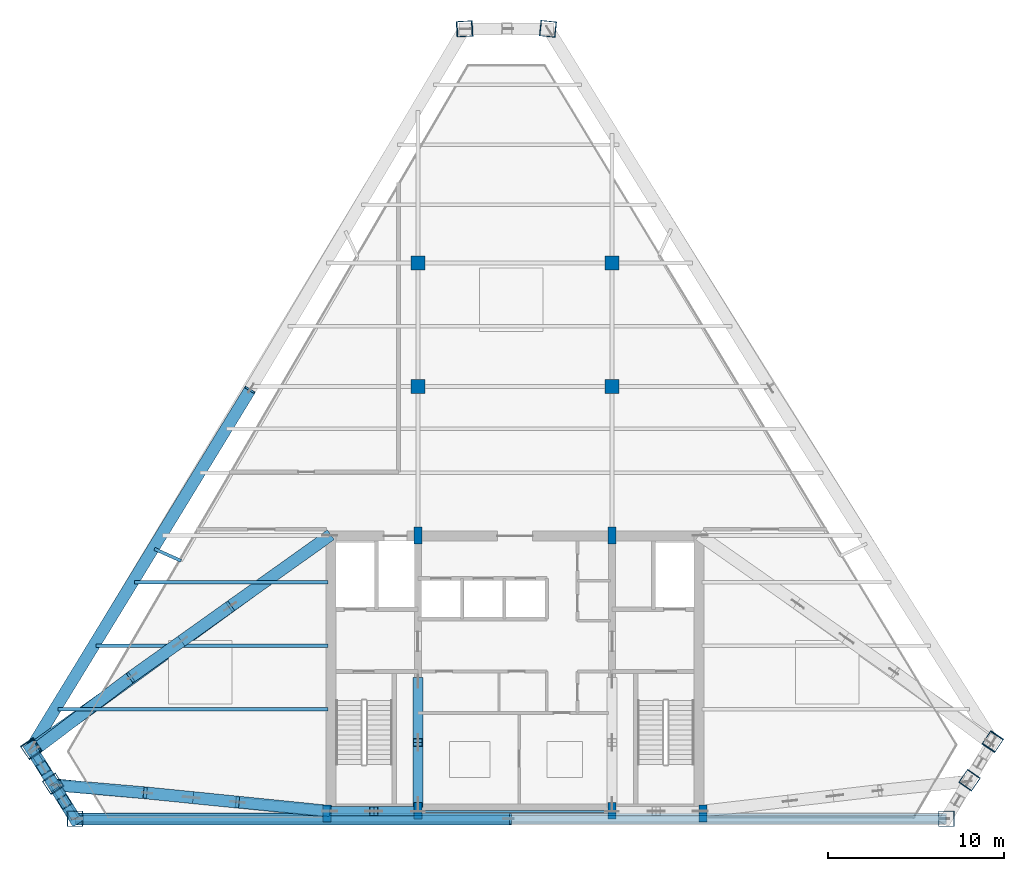
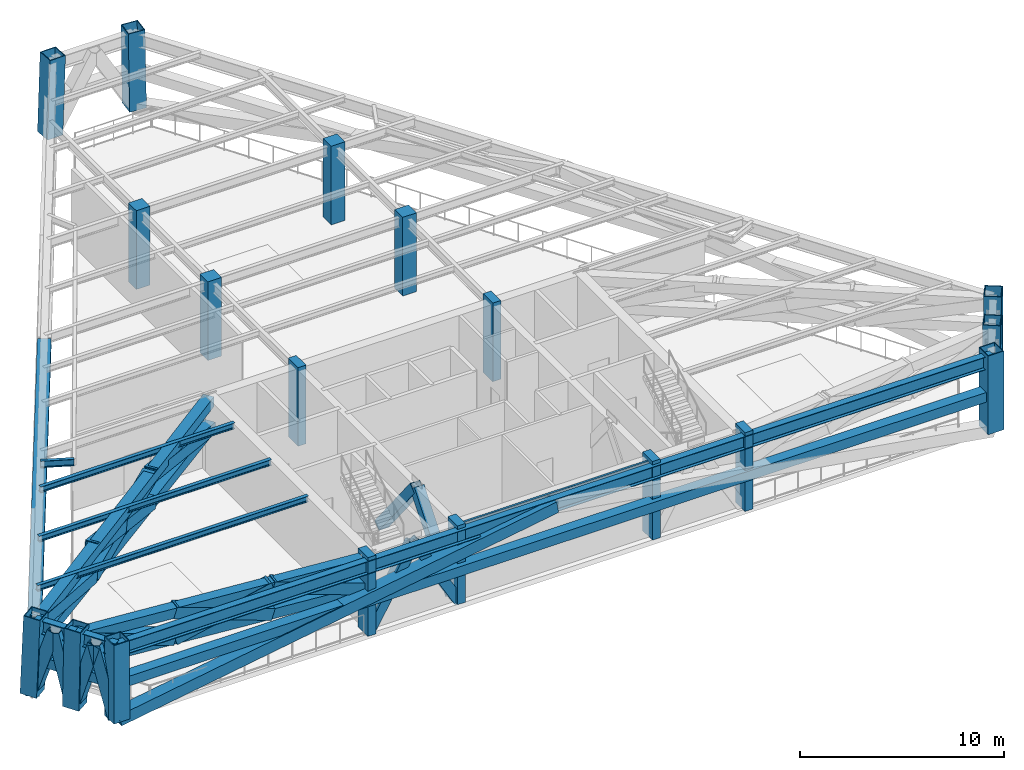
# One storey, part 1 of 9: 27 members, 18 columns, 8 beams.
"""IFC4 building model written with IfcOpenShell, lengths in metres."""

from ifc_helpers import new_model, si_unit, direction, frame, origin, origin_2d, place, context, subcontext, project, spatial, rectangle, hollow_rectangle, i_section, extrude, source, transform, mapped, material, material_profile, profile_set, type_object, type_shapes, element, save


model = new_model("IFC4")

# Units and contexts
model_context = context("Model", 3, precision=1e-05, world=origin(), true_north=direction((0.0, 1.0)))
body_context = subcontext(model_context, "Body", "Model", "MODEL_VIEW")
ifc_project = project(units=[si_unit("LENGTHUNIT", "METRE"), si_unit("AREAUNIT", "SQUARE_METRE"), si_unit("VOLUMEUNIT", "CUBIC_METRE"), si_unit("PLANEANGLEUNIT", "RADIAN"), si_unit("MASSUNIT", "GRAM", prefix="KILO")], contexts=[model_context])

# Site, building, storey
site_placement = place(None, origin())
site = spatial("IfcSite", under=ifc_project, at=site_placement, CompositionType="ELEMENT")
building_placement = place(site_placement, origin())
building = spatial("IfcBuilding", under=site, at=building_placement, Name="Varnakhor Terracotta Tower", CompositionType="ELEMENT")
storey_placement = place(building_placement, frame((0.0, 0.0, 257.949951171875)))
storey = spatial("IfcBuildingStorey", under=building, at=storey_placement, Name="L67", CompositionType="ELEMENT", Elevation=257.949951171875)

# Columns
ifc_material_1 = material(Name="Concrete C50/60", Category="concrete")
ifc_material_profile_1 = material_profile(ifc_material_1, rectangle(XDim=0.449951171875, YDim=0.949951171875, at=origin_2d()), Name="RC PILASTER 950x450")
ifc_profile_set_1 = profile_set([ifc_material_profile_1], Name="Concrete C50/60")
column_type_1 = type_object("IfcColumnType", Name="COL-PIL-950x450", PredefinedType="PILASTER", material=ifc_profile_set_1)
shared_shape_1 = source(origin(), body_context, "Body", "SweptSolid", [
    extrude(rectangle(XDim=0.449951171875, YDim=0.949951171875, at=origin_2d()), origin(), (0.0, 0.0, 1.0), 4.699951171875),
])
for number, where, z_axis, x_axis, name in (
    (1, (-10.64990234375, 0.300048828125, 0.0), (0.0, 0.0, 1.0), (1.0, 0.0, 0.0), "L67 Core Pilaster CP1"),
    (2, (-5.5, 0.449951171875, 0.0), (0.0, 0.0, 1.0), (1.0, 0.0, 0.0), "L67 Core Pilaster CP2"),
    (3, (5.5, 0.449951171875, 0.0), (0.0, 0.0, 1.0), (1.0, 0.0, 0.0), "L67 Core Pilaster CP3"),
    (4, (10.64990234375, 0.300048828125, 0.0), (0.0, 0.0, 1.0), (1.0, 0.0, 0.0), "L67 Core Pilaster CP4"),
    (5, (-5.5, 16.050048828125, 0.0), (0.0, 0.0, 1.0), (1.0, 0.0, 0.0), "L67 Core Pilaster CP5"),
    (6, (5.5, 16.050048828125, 0.0), (0.0, 0.0, 1.0), (1.0, 0.0, 0.0), "L67 Core Pilaster CP6"),
):
    element("IfcColumn", number, at=place(storey_placement, frame(where, z_axis=z_axis, x_axis=x_axis)), inside=storey, type_object=column_type_1, Name=name, PredefinedType="PILASTER", context=body_context, shape_type="MappedRepresentation", body=[
        mapped(shared_shape_1, transform((0.0, 0.0, 0.0), scale=1.0)),
    ])
ifc_material_2 = material(Name="Steel S460", Category="steel")
ifc_material_profile_2 = material_profile(ifc_material_2, hollow_rectangle(XDim=0.89990234375, YDim=0.89990234375, WallThickness=0.044921875, at=origin_2d()), Name="BOX 900x900x45")
ifc_profile_set_2 = profile_set([ifc_material_profile_2], Name="Steel S460")
column_type_2 = type_object("IfcColumnType", Name="COL-MEGA-900", PredefinedType="COLUMN", material=ifc_profile_set_2)
shared_shape_2 = source(origin(), body_context, "Body", "SweptSolid", [
    extrude(hollow_rectangle(XDim=0.89990234375, YDim=0.89990234375, WallThickness=0.044921875, at=origin_2d()), origin(), (0.0, 0.0, 1.0), 4.691162109375),
])
for number, where, z_axis, x_axis, name in (
    (7, (-24.931640625, 0.0, 0.00439453125), (-0.000780639887, 0.0, 0.999999695301), (1.0, 0.0, 0.0), "L67 Perimeter Mega-Column M1"),
    (8, (24.439208984375, 0.0, 0.00439453125), (-0.000884725129, 0.0, 0.999999608631), (1.0, 0.0, 0.0), "L67 Perimeter Mega-Column M2"),
):
    element("IfcColumn", number, at=place(storey_placement, frame(where, z_axis=z_axis, x_axis=x_axis)), inside=storey, type_object=column_type_2, Name=name, PredefinedType="COLUMN", context=body_context, shape_type="MappedRepresentation", body=[
        mapped(shared_shape_2, transform((0.0, 0.0, 0.0), scale=1.0)),
    ])
shared_shape_3 = source(origin(), body_context, "Body", "SweptSolid", [
    extrude(hollow_rectangle(XDim=0.89990234375, YDim=0.89990234375, WallThickness=0.044921875, at=origin_2d()), origin(), (0.0, 0.0, 1.0), 4.692138671875),
])
for number, where, z_axis, x_axis, name in (
    (9, (25.76171875, 2.196044921875, 0.00439453125), (-0.011135020873, -0.015974072, 0.999810402193), (0.820360179664, -0.571847161069, 0.0), "L67 Perimeter Mega-Column M3"),
    (10, (-26.177490234375, 1.995361328125, 0.00439453125), (0.010926756059, -0.016858423634, 0.999798179412), (0.839152986556, 0.54389545425, 0.0), "L67 Perimeter Mega-Column M8"),
):
    element("IfcColumn", number, at=place(storey_placement, frame(where, z_axis=z_axis, x_axis=x_axis)), inside=storey, type_object=column_type_2, Name=name, PredefinedType="COLUMN", context=body_context, shape_type="MappedRepresentation", body=[
        mapped(shared_shape_3, transform((0.0, 0.0, 0.0), scale=1.0)),
    ])
shared_shape_4 = source(origin(), body_context, "Body", "SweptSolid", [
    extrude(hollow_rectangle(XDim=0.89990234375, YDim=0.89990234375, WallThickness=0.044921875, at=origin_2d()), origin(), (0.0, 0.0, 1.0), 4.694580078125),
])
column_1_placement = place(storey_placement, frame((27.083984375, 4.39208984375, 0.00439453125), z_axis=(-0.021373743827, -0.031930605133, 0.999261527094), x_axis=(0.831007726686, -0.556260872423, 0.0)))
element("IfcColumn", 11, at=column_1_placement, inside=storey, type_object=column_type_2, Name="L67 Perimeter Mega-Column M4", PredefinedType="COLUMN", context=body_context, shape_type="MappedRepresentation", body=[
    mapped(shared_shape_4, transform((0.0, 0.0, 0.0), scale=1.0)),
])
shared_shape_5 = source(origin(), body_context, "Body", "SweptSolid", [
    extrude(hollow_rectangle(XDim=0.89990234375, YDim=0.89990234375, WallThickness=0.044921875, at=origin_2d()), origin(), (0.0, 0.0, 1.0), 4.69189453125),
])
column_2_placement = place(storey_placement, frame((1.879150390625, 44.7587890625, 0.00439453125), z_axis=(-0.016235150598, 0.00171717939, 0.999866726709), x_axis=(-0.105182521821, -0.994452933579, 0.0)))
element("IfcColumn", 12, at=column_2_placement, inside=storey, type_object=column_type_2, Name="L67 Perimeter Mega-Column M5", PredefinedType="COLUMN", context=body_context, shape_type="MappedRepresentation", body=[
    mapped(shared_shape_5, transform((0.0, 0.0, 0.0), scale=1.0)),
])
shared_shape_6 = source(origin(), body_context, "Body", "SweptSolid", [
    extrude(hollow_rectangle(XDim=0.89990234375, YDim=0.89990234375, WallThickness=0.044921875, at=origin_2d()), origin(), (0.0, 0.0, 1.0), 4.693603515625),
])
column_3_placement = place(storey_placement, frame((-2.87353515625, 44.7587890625, 0.00439453125), z_axis=(0.032041779585, 0.001716523906, 0.99948505637), x_axis=(-0.053494721372, 0.99856813227, 0.0)))
element("IfcColumn", 13, at=column_3_placement, inside=storey, type_object=column_type_2, Name="L67 Perimeter Mega-Column M6", PredefinedType="COLUMN", context=body_context, shape_type="MappedRepresentation", body=[
    mapped(shared_shape_6, transform((0.0, 0.0, 0.0), scale=1.0)),
])
shared_shape_7 = source(origin(), body_context, "Body", "SweptSolid", [
    extrude(hollow_rectangle(XDim=0.89990234375, YDim=0.89990234375, WallThickness=0.044921875, at=origin_2d()), origin(), (0.0, 0.0, 1.0), 4.695068359375),
])
column_4_placement = place(storey_placement, frame((-27.42333984375, 3.990478515625, 0.00439453125), z_axis=(0.022671964695, -0.03359194769, 0.999178444057), x_axis=(0.828878422604, 0.559428780581, 0.0)))
element("IfcColumn", 14, at=column_4_placement, inside=storey, type_object=column_type_2, Name="L67 Perimeter Mega-Column M7", PredefinedType="COLUMN", context=body_context, shape_type="MappedRepresentation", body=[
    mapped(shared_shape_7, transform((0.0, 0.0, 0.0), scale=1.0)),
])
ifc_material_profile_3 = material_profile(ifc_material_1, rectangle(XDim=0.780029296875, YDim=0.780029296875, at=origin_2d()), Name="RC 780x780")
ifc_profile_set_3 = profile_set([ifc_material_profile_3], Name="Concrete C50/60")
column_type_3 = type_object("IfcColumnType", Name="COL-RC-780", PredefinedType="COLUMN", material=ifc_profile_set_3)
shared_shape_8 = source(origin(), body_context, "Body", "SweptSolid", [
    extrude(rectangle(XDim=0.780029296875, YDim=0.780029296875, at=origin_2d()), origin(), (0.0, 0.0, 1.0), 4.699951171875),
])
for number, where, z_axis, x_axis, name in (
    (15, (-5.5, 24.5, 0.0), (0.0, 0.0, 1.0), (1.0, 0.0, 0.0), "L67 Interior Tower Column IC1"),
    (16, (5.5, 24.5, 0.0), (0.0, 0.0, 1.0), (1.0, 0.0, 0.0), "L67 Interior Tower Column IC2"),
    (17, (-5.5, 31.5, 0.0), (0.0, 0.0, 1.0), (1.0, 0.0, 0.0), "L67 Interior Tower Column IC3"),
    (18, (5.5, 31.5, 0.0), (0.0, 0.0, 1.0), (1.0, 0.0, 0.0), "L67 Interior Tower Column IC4"),
):
    element("IfcColumn", number, at=place(storey_placement, frame(where, z_axis=z_axis, x_axis=x_axis)), inside=storey, type_object=column_type_3, Name=name, PredefinedType="COLUMN", context=body_context, shape_type="MappedRepresentation", body=[
        mapped(shared_shape_8, transform((0.0, 0.0, 0.0), scale=1.0)),
    ])

# Beams
ifc_material_3 = material(Name="Steel S355", Category="steel")
ifc_material_profile_4 = material_profile(ifc_material_3, i_section(OverallWidth=0.1201171875, OverallDepth=0.239990234375, WebThickness=0.006103515625, FlangeThickness=0.009765625, FilletRadius=0.01806640625, at=origin_2d()), Name="IPE240")
ifc_profile_set_4 = profile_set([ifc_material_profile_4], Name="Steel S355")
beam_type_1 = type_object("IfcBeamType", Name="LNT-IPE240", PredefinedType="LINTEL", material=ifc_profile_set_4)
shared_shape_9 = source(origin(), body_context, "Body", "SweptSolid", [
    extrude(i_section(OverallWidth=0.1201171875, OverallDepth=0.239990234375, WebThickness=0.006103515625, FlangeThickness=0.009765625, FilletRadius=0.01806640625, at=origin_2d()), origin(), (0.0, 0.0, 1.0), 11.0),
])
type_shapes(beam_type_1, [shared_shape_9])
beam_1_placement = place(storey_placement, frame((-5.5, 0.419921875, 4.3701171875), z_axis=(1.0, 0.0, 0.0), x_axis=(0.0, 1.0, 0.0)))
element("IfcBeam", 19, at=beam_1_placement, inside=storey, type_object=beam_type_1, Name="L67 Core South Coupling Lintel", PredefinedType="LINTEL", context=body_context, shape_type="MappedRepresentation", body=[
    mapped(shared_shape_9, transform((0.0, 0.0, 0.0), scale=1.0)),
])
ifc_material_profile_5 = material_profile(ifc_material_3, i_section(OverallWidth=0.381103515625, OverallDepth=0.77294921875, WebThickness=0.01708984375, FlangeThickness=0.027099609375, FilletRadius=0.01806640625, at=origin_2d()), Name="W30X173")
ifc_profile_set_5 = profile_set([ifc_material_profile_5], Name="Steel S355")
beam_type_2 = type_object("IfcBeamType", Name="BM-W30X173", PredefinedType="BEAM", material=ifc_profile_set_5)
shared_shape_10 = source(origin(), body_context, "Body", "SweptSolid", [
    extrude(i_section(OverallWidth=0.381103515625, OverallDepth=0.77294921875, WebThickness=0.01708984375, FlangeThickness=0.027099609375, FilletRadius=0.01806640625, at=origin_2d()), origin(), (0.0, 0.0, 1.0), 49.370361328125),
])
beam_2_placement = place(storey_placement, frame((-24.935302734375, 0.0, 4.103515625), z_axis=(1.0, 0.0, 0.0), x_axis=(0.0, 1.0, 0.0)))
element("IfcBeam", 20, at=beam_2_placement, inside=storey, type_object=beam_type_2, Name="L67 Perimeter Spandrel 1", PredefinedType="BEAM", context=body_context, shape_type="MappedRepresentation", body=[
    mapped(shared_shape_10, transform((0.0, 0.0, 0.0), scale=1.0)),
])
shared_shape_11 = source(origin(), body_context, "Body", "SweptSolid", [
    extrude(i_section(OverallWidth=0.381103515625, OverallDepth=0.77294921875, WebThickness=0.01708984375, FlangeThickness=0.027099609375, FilletRadius=0.01806640625, at=origin_2d()), origin(), (0.0, 0.0, 1.0), 2.25634765625),
])
beam_3_placement = place(storey_placement, frame((-27.31689453125, 3.832763671875, 4.103515625), z_axis=(0.527721055977, -0.849417734144, 0.0), x_axis=(0.849417734144, 0.527721055977, 0.0)))
element("IfcBeam", 21, at=beam_3_placement, inside=storey, type_object=beam_type_2, Name="L67 Perimeter Spandrel 7", PredefinedType="BEAM", context=body_context, shape_type="MappedRepresentation", body=[
    mapped(shared_shape_11, transform((0.0, 0.0, 0.0), scale=1.0)),
])
shared_shape_12 = source(origin(), body_context, "Body", "SweptSolid", [
    extrude(i_section(OverallWidth=0.381103515625, OverallDepth=0.77294921875, WebThickness=0.01708984375, FlangeThickness=0.027099609375, FilletRadius=0.01806640625, at=origin_2d()), origin(), (0.0, 0.0, 1.0), 2.256103515625),
])
beam_4_placement = place(storey_placement, frame((-26.126220703125, 1.916259765625, 4.103515625), z_axis=(0.527847630329, -0.849339083733, 0.0), x_axis=(0.849339083733, 0.527847630329, 0.0)))
element("IfcBeam", 22, at=beam_4_placement, inside=storey, type_object=beam_type_2, Name="L67 Perimeter Spandrel 8", PredefinedType="BEAM", context=body_context, shape_type="MappedRepresentation", body=[
    mapped(shared_shape_12, transform((0.0, 0.0, 0.0), scale=1.0)),
])
ifc_material_profile_6 = material_profile(ifc_material_3, i_section(OverallWidth=0.202880859375, OverallDepth=0.346923828125, WebThickness=0.0078125, FlangeThickness=0.013427734375, FilletRadius=0.01806640625, at=origin_2d()), Name="W14X43")
ifc_profile_set_6 = profile_set([ifc_material_profile_6], Name="Steel S355")
beam_type_3 = type_object("IfcBeamType", Name="JST-W14X43", PredefinedType="JOIST", material=ifc_profile_set_6)
shared_shape_13 = source(origin(), body_context, "Body", "SweptSolid", [
    extrude(i_section(OverallWidth=0.202880859375, OverallDepth=0.346923828125, WebThickness=0.0078125, FlangeThickness=0.013427734375, FilletRadius=0.01806640625, at=origin_2d()), origin(), (0.0, 0.0, 1.0), 15.29443359375),
])
beam_5_placement = place(storey_placement, frame((-25.89453125, 6.199951171875, 4.316650390625), z_axis=(1.0, 0.0, 0.0), x_axis=(0.0, 1.0, 0.0)))
element("IfcBeam", 23, at=beam_5_placement, inside=storey, type_object=beam_type_3, Name="L67 Floor Joist W1", PredefinedType="JOIST", context=body_context, shape_type="MappedRepresentation", body=[
    mapped(shared_shape_13, transform((0.0, 0.0, 0.0), scale=1.0)),
])
shared_shape_14 = source(origin(), body_context, "Body", "SweptSolid", [
    extrude(i_section(OverallWidth=0.202880859375, OverallDepth=0.346923828125, WebThickness=0.0078125, FlangeThickness=0.013427734375, FilletRadius=0.01806640625, at=origin_2d()), origin(), (0.0, 0.0, 1.0), 13.131591796875),
])
beam_6_placement = place(storey_placement, frame((-23.731689453125, 9.800048828125, 4.316650390625), z_axis=(1.0, 0.0, 0.0), x_axis=(0.0, 1.0, 0.0)))
element("IfcBeam", 24, at=beam_6_placement, inside=storey, type_object=beam_type_3, Name="L67 Floor Joist W2", PredefinedType="JOIST", context=body_context, shape_type="MappedRepresentation", body=[
    mapped(shared_shape_14, transform((0.0, 0.0, 0.0), scale=1.0)),
])
shared_shape_15 = source(origin(), body_context, "Body", "SweptSolid", [
    extrude(i_section(OverallWidth=0.202880859375, OverallDepth=0.346923828125, WebThickness=0.0078125, FlangeThickness=0.013427734375, FilletRadius=0.01806640625, at=origin_2d()), origin(), (0.0, 0.0, 1.0), 10.968505859375),
])
beam_7_placement = place(storey_placement, frame((-21.568603515625, 13.39990234375, 4.316650390625), z_axis=(1.0, 0.0, 0.0), x_axis=(0.0, 1.0, 0.0)))
element("IfcBeam", 25, at=beam_7_placement, inside=storey, type_object=beam_type_3, Name="L67 Floor Joist W3", PredefinedType="JOIST", context=body_context, shape_type="MappedRepresentation", body=[
    mapped(shared_shape_15, transform((0.0, 0.0, 0.0), scale=1.0)),
])

# Members
ifc_material_profile_7 = material_profile(ifc_material_3, hollow_rectangle(XDim=0.550048828125, YDim=0.550048828125, WallThickness=0.034912109375, at=origin_2d()), Name="HSS550X550X35")
ifc_profile_set_7 = profile_set([ifc_material_profile_7], Name="Steel S355")
member_type_1 = type_object("IfcMemberType", Name="MBR-MEGA-550", PredefinedType="BRACE", material=ifc_profile_set_7)
shared_shape_16 = source(origin(), body_context, "Body", "SweptSolid", [
    extrude(hollow_rectangle(XDim=0.550048828125, YDim=0.550048828125, WallThickness=0.034912109375, at=origin_2d()), origin(), (0.0, 0.0, 1.0), 5.008544921875),
])
for number, where, z_axis, x_axis, name in (
    (26, (-10.5, 0.419921875, 0.0), (0.49913860216, 0.0, 0.86652216119), (0.0, 1.0, 0.0), "L67 Core Coupled Brace CSWA"),
    (27, (-5.5, 0.419921875, 0.0), (-0.49913860216, 0.0, 0.86652216119), (0.0, -1.0, 0.0), "L67 Core Coupled Brace CSWB"),
):
    element("IfcMember", number, at=place(storey_placement, frame(where, z_axis=z_axis, x_axis=x_axis)), inside=storey, type_object=member_type_1, Name=name, PredefinedType="BRACE", context=body_context, shape_type="MappedRepresentation", body=[
        mapped(shared_shape_16, transform((0.0, 0.0, 0.0), scale=1.0)),
    ])
shared_shape_17 = source(origin(), body_context, "Body", "SweptSolid", [
    extrude(hollow_rectangle(XDim=0.550048828125, YDim=0.550048828125, WallThickness=0.034912109375, at=origin_2d()), origin(), (0.0, 0.0, 1.0), 5.559814453125),
])
for number, where, z_axis, x_axis, name in (
    (28, (-5.5, 0.85009765625, 0.0), (0.0, 0.625000242142, 0.780624555931), (-1.0, 0.0, 0.0), "L67 Core Coupled Brace CWWA"),
    (29, (-5.5, 7.800048828125, 0.0), (0.0, -0.625026999934, 0.780603131785), (1.0, 0.0, 0.0), "L67 Core Coupled Brace CWWB"),
):
    element("IfcMember", number, at=place(storey_placement, frame(where, z_axis=z_axis, x_axis=x_axis)), inside=storey, type_object=member_type_1, Name=name, PredefinedType="BRACE", context=body_context, shape_type="MappedRepresentation", body=[
        mapped(shared_shape_17, transform((0.0, 0.0, 0.0), scale=1.0)),
    ])
ifc_material_profile_8 = material_profile(ifc_material_2, hollow_rectangle(XDim=0.679931640625, YDim=0.679931640625, WallThickness=0.048095703125, at=origin_2d()), Name="HSS680X680X48")
ifc_profile_set_8 = profile_set([ifc_material_profile_8], Name="Steel S460")
member_type_2 = type_object("IfcMemberType", Name="MBR-OUTRIGGER-680", PredefinedType="BRACE", material=ifc_profile_set_8)
shared_shape_18 = source(origin(), body_context, "Body", "SweptSolid", [
    extrude(hollow_rectangle(XDim=0.679931640625, YDim=0.679931640625, WallThickness=0.048095703125, at=origin_2d()), origin(), (0.0, 0.0, 1.0), 25.020263671875),
])
member_1_placement = place(storey_placement, frame((-24.931640625, 0.0, 0.0), z_axis=(0.986458985927, 0.0, 0.164008137252), x_axis=(0.0, 1.0, 0.0)))
element("IfcMember", 30, at=member_1_placement, inside=storey, type_object=member_type_2, Name="L67 Belt-Truss Diagonal S1A", PredefinedType="BRACE", context=body_context, shape_type="MappedRepresentation", body=[
    mapped(shared_shape_18, transform((0.0, 0.0, 0.0), scale=1.0)),
])
ifc_material_profile_9 = material_profile(ifc_material_2, hollow_rectangle(XDim=0.580078125, YDim=0.580078125, WallThickness=0.0380859375, at=origin_2d()), Name="HSS580X580X38")
ifc_profile_set_9 = profile_set([ifc_material_profile_9], Name="Steel S460")
member_type_3 = type_object("IfcMemberType", Name="MBR-BELT-CHORD-580", PredefinedType="CHORD", material=ifc_profile_set_9)
shared_shape_19 = source(origin(), body_context, "Body", "SweptSolid", [
    extrude(hollow_rectangle(XDim=0.580078125, YDim=0.580078125, WallThickness=0.0380859375, at=origin_2d()), origin(), (0.0, 0.0, 1.0), 49.370849609375),
])
member_2_placement = place(storey_placement, frame((-24.931640625, 0.0, 2.150146484375), z_axis=(1.0, 0.0, 0.0), x_axis=(0.0, 1.0, 0.0)))
element("IfcMember", 31, at=member_2_placement, inside=storey, type_object=member_type_3, Name="L67 Belt-Truss Bottom Chord S1", PredefinedType="CHORD", context=body_context, shape_type="MappedRepresentation", body=[
    mapped(shared_shape_19, transform((0.0, 0.0, 0.0), scale=1.0)),
])
shared_shape_20 = source(origin(), body_context, "Body", "SweptSolid", [
    extrude(hollow_rectangle(XDim=0.679931640625, YDim=0.679931640625, WallThickness=0.048095703125, at=origin_2d()), origin(), (0.0, 0.0, 1.0), 24.1484375),
])
member_3_placement = place(storey_placement, frame((-27.42333984375, 3.990478515625, 0.0), z_axis=(0.513627002412, 0.841018216078, 0.169928404388), x_axis=(-0.853430153734, 0.521207226253, 0.0)))
element("IfcMember", 32, at=member_3_placement, inside=storey, type_object=member_type_2, Name="L67 Belt-Truss Diagonal NWB", PredefinedType="BRACE", context=body_context, shape_type="MappedRepresentation", body=[
    mapped(shared_shape_20, transform((0.0, 0.0, 0.0), scale=1.0)),
])
shared_shape_21 = source(origin(), body_context, "Body", "SweptSolid", [
    extrude(hollow_rectangle(XDim=0.679931640625, YDim=0.679931640625, WallThickness=0.048095703125, at=origin_2d()), origin(), (0.0, 0.0, 1.0), 4.31005859375),
])
member_4_placement = place(storey_placement, frame((-27.42333984375, 3.990478515625, 0.0), z_axis=(0.162796211116, -0.258921879267, 0.952080277121), x_axis=(0.846569786567, 0.532277743731, 0.0)))
element("IfcMember", 33, at=member_4_placement, inside=storey, type_object=member_type_2, Name="L67 Belt-Truss Diagonal W1A", PredefinedType="BRACE", context=body_context, shape_type="MappedRepresentation", body=[
    mapped(shared_shape_21, transform((0.0, 0.0, 0.0), scale=1.0)),
])
shared_shape_22 = source(origin(), body_context, "Body", "SweptSolid", [
    extrude(hollow_rectangle(XDim=0.679931640625, YDim=0.679931640625, WallThickness=0.048095703125, at=origin_2d()), origin(), (0.0, 0.0, 1.0), 4.231689453125),
])
member_5_placement = place(storey_placement, frame((-26.177490234375, 1.995361328125, 0.0), z_axis=(-0.128596140673, 0.207749978718, 0.969692208356), x_axis=(-0.850285274735, -0.52632209869, 0.0)))
element("IfcMember", 34, at=member_5_placement, inside=storey, type_object=member_type_2, Name="L67 Belt-Truss Diagonal W1B", PredefinedType="BRACE", context=body_context, shape_type="MappedRepresentation", body=[
    mapped(shared_shape_22, transform((0.0, 0.0, 0.0), scale=1.0)),
])
shared_shape_23 = source(origin(), body_context, "Body", "SweptSolid", [
    extrude(hollow_rectangle(XDim=0.580078125, YDim=0.580078125, WallThickness=0.0380859375, at=origin_2d()), origin(), (0.0, 0.0, 1.0), 2.35205078125),
])
member_6_placement = place(storey_placement, frame((-27.42333984375, 3.990478515625, 2.150146484375), z_axis=(0.529663024289, -0.848208158827, 0.0), x_axis=(0.848208158827, 0.529663024289, 0.0)))
element("IfcMember", 35, at=member_6_placement, inside=storey, type_object=member_type_3, Name="L67 Belt-Truss Bottom Chord W1", PredefinedType="CHORD", context=body_context, shape_type="MappedRepresentation", body=[
    mapped(shared_shape_23, transform((0.0, 0.0, 0.0), scale=1.0)),
])
shared_shape_24 = source(origin(), body_context, "Body", "SweptSolid", [
    extrude(hollow_rectangle(XDim=0.679931640625, YDim=0.679931640625, WallThickness=0.048095703125, at=origin_2d()), origin(), (0.0, 0.0, 1.0), 4.28173828125),
])
member_7_placement = place(storey_placement, frame((-26.177490234375, 1.995361328125, 0.0), z_axis=(0.151043786859, -0.242274462198, 0.958378244441), x_axis=(0.848592429639, 0.529047151357, 0.0)))
element("IfcMember", 36, at=member_7_placement, inside=storey, type_object=member_type_2, Name="L67 Belt-Truss Diagonal W2A", PredefinedType="BRACE", context=body_context, shape_type="MappedRepresentation", body=[
    mapped(shared_shape_24, transform((0.0, 0.0, 0.0), scale=1.0)),
])
shared_shape_25 = source(origin(), body_context, "Body", "SweptSolid", [
    extrude(hollow_rectangle(XDim=0.679931640625, YDim=0.679931640625, WallThickness=0.048095703125, at=origin_2d()), origin(), (0.0, 0.0, 1.0), 4.25634765625),
])
member_8_placement = place(storey_placement, frame((-24.931640625, 0.0, 0.0), z_axis=(-0.140763047977, 0.22508321119, 0.964117893395), x_axis=(-0.847852607852, -0.530231982587, 0.0)))
element("IfcMember", 37, at=member_8_placement, inside=storey, type_object=member_type_2, Name="L67 Belt-Truss Diagonal W2B", PredefinedType="BRACE", context=body_context, shape_type="MappedRepresentation", body=[
    mapped(shared_shape_25, transform((0.0, 0.0, 0.0), scale=1.0)),
])
shared_shape_26 = source(origin(), body_context, "Body", "SweptSolid", [
    extrude(hollow_rectangle(XDim=0.580078125, YDim=0.580078125, WallThickness=0.0380859375, at=origin_2d()), origin(), (0.0, 0.0, 1.0), 2.352294921875),
])
member_9_placement = place(storey_placement, frame((-26.177490234375, 1.995361328125, 2.150146484375), z_axis=(0.529616396438, -0.848237273777, 0.0), x_axis=(0.848237273777, 0.529616396438, 0.0)))
element("IfcMember", 38, at=member_9_placement, inside=storey, type_object=member_type_3, Name="L67 Belt-Truss Bottom Chord W2", PredefinedType="CHORD", context=body_context, shape_type="MappedRepresentation", body=[
    mapped(shared_shape_26, transform((0.0, 0.0, 0.0), scale=1.0)),
])
shared_shape_27 = source(origin(), body_context, "Body", "SweptSolid", [
    extrude(hollow_rectangle(XDim=0.580078125, YDim=0.580078125, WallThickness=0.0380859375, at=origin_2d()), origin(), (0.0, 0.0, 1.0), 15.75634765625),
])
member_10_placement = place(storey_placement, frame((-10.5, 0.419921875, 2.550048828125), z_axis=(-0.994988747974, 0.099986956173, 0.0), x_axis=(-0.099986956173, -0.994988747974, 0.0)))
element("IfcMember", 39, at=member_10_placement, inside=storey, type_object=member_type_3, Name="L67 Outrigger Bottom Chord OW1", PredefinedType="CHORD", context=body_context, shape_type="MappedRepresentation", body=[
    mapped(shared_shape_27, transform((0.0, 0.0, 0.0), scale=1.0)),
])
shared_shape_28 = source(origin(), body_context, "Body", "SweptSolid", [
    extrude(hollow_rectangle(XDim=0.580078125, YDim=0.580078125, WallThickness=0.0380859375, at=origin_2d()), origin(), (0.0, 0.0, 1.0), 15.69775390625),
])
member_11_placement = place(storey_placement, frame((-10.5, 0.419921875, 4.14013671875), z_axis=(-0.995446480657, 0.095322107335, 0.0), x_axis=(-0.095322107335, -0.995446480657, 0.0)))
element("IfcMember", 40, at=member_11_placement, inside=storey, type_object=member_type_3, Name="L67 Outrigger Top Chord OW1", PredefinedType="CHORD", context=body_context, shape_type="MappedRepresentation", body=[
    mapped(shared_shape_28, transform((0.0, 0.0, 0.0), scale=1.0)),
])
shared_shape_29 = source(origin(), body_context, "Body", "SweptSolid", [
    extrude(hollow_rectangle(XDim=0.679931640625, YDim=0.679931640625, WallThickness=0.048095703125, at=origin_2d()), origin(), (0.0, 0.0, 1.0), 5.487548828125),
])
for number, where, z_axis, x_axis, name in (
    (41, (-10.5, 0.419921875, 2.550048828125), (-0.95230259344, 0.095697401471, 0.289761587997), (-0.099986956173, -0.994988747974, 0.0), "L67 Outrigger Web Diagonal OW1-1"),
    (42, (-15.725830078125, 0.945068359375, 4.14013671875), (-0.95230259344, 0.095697401471, -0.289761587997), (-0.099986956173, -0.994988747974, 0.0), "L67 Outrigger Continuous X-Diagonal OW1-2"),
):
    element("IfcMember", number, at=place(storey_placement, frame(where, z_axis=z_axis, x_axis=x_axis)), inside=storey, type_object=member_type_2, Name=name, PredefinedType="BRACE", context=body_context, shape_type="MappedRepresentation", body=[
        mapped(shared_shape_29, transform((0.0, 0.0, 0.0), scale=1.0)),
    ])
shared_shape_30 = source(origin(), body_context, "Body", "SweptSolid", [
    extrude(hollow_rectangle(XDim=0.679931640625, YDim=0.679931640625, WallThickness=0.048095703125, at=origin_2d()), origin(), (0.0, 0.0, 1.0), 2.74365234375),
])
member_12_placement = place(storey_placement, frame((-15.725830078125, 0.945068359375, 2.550048828125), z_axis=(-0.952306671236, 0.095746774271, 0.28973187456), x_axis=(-0.10003760187, -0.994983657259, 0.0)))
element("IfcMember", 43, at=member_12_placement, inside=storey, type_object=member_type_2, Name="L67 Outrigger Split X-Diagonal OW1-3A", PredefinedType="BRACE", context=body_context, shape_type="MappedRepresentation", body=[
    mapped(shared_shape_30, transform((0.0, 0.0, 0.0), scale=1.0)),
])
shared_shape_31 = source(origin(), body_context, "Body", "SweptSolid", [
    extrude(hollow_rectangle(XDim=0.679931640625, YDim=0.679931640625, WallThickness=0.048095703125, at=origin_2d()), origin(), (0.0, 0.0, 1.0), 2.743896484375),
])
member_13_placement = place(storey_placement, frame((-18.338623046875, 1.207763671875, 3.344970703125), z_axis=(-0.952298512883, 0.095648033388, 0.289791297436), x_axis=(-0.099936314432, -0.994993835688, 0.0)))
element("IfcMember", 44, at=member_13_placement, inside=storey, type_object=member_type_2, Name="L67 Outrigger Split X-Diagonal OW1-3B", PredefinedType="BRACE", context=body_context, shape_type="MappedRepresentation", body=[
    mapped(shared_shape_31, transform((0.0, 0.0, 0.0), scale=1.0)),
])
shared_shape_32 = source(origin(), body_context, "Body", "SweptSolid", [
    extrude(hollow_rectangle(XDim=0.679931640625, YDim=0.679931640625, WallThickness=0.048095703125, at=origin_2d()), origin(), (0.0, 0.0, 1.0), 5.431640625),
])
member_14_placement = place(storey_placement, frame((-20.95166015625, 1.47021484375, 2.550048828125), z_axis=(-0.952658721631, 0.082118777279, 0.292741979428), x_axis=(-0.085881101827, -0.996305393114, 0.0)))
element("IfcMember", 45, at=member_14_placement, inside=storey, type_object=member_type_2, Name="L67 Outrigger Web Diagonal OW1-4", PredefinedType="BRACE", context=body_context, shape_type="MappedRepresentation", body=[
    mapped(shared_shape_32, transform((0.0, 0.0, 0.0), scale=1.0)),
])
shared_shape_33 = source(origin(), body_context, "Body", "SweptSolid", [
    extrude(hollow_rectangle(XDim=0.580078125, YDim=0.580078125, WallThickness=0.0380859375, at=origin_2d()), origin(), (0.0, 0.0, 1.0), 20.780517578125),
])
member_15_placement = place(storey_placement, frame((-10.5, 16.050048828125, 2.550048828125), z_axis=(-0.814382306005, -0.580328751369, 0.0), x_axis=(0.580328751369, -0.814382306005, 0.0)))
element("IfcMember", 46, at=member_15_placement, inside=storey, type_object=member_type_3, Name="L67 Outrigger Bottom Chord OW2", PredefinedType="CHORD", context=body_context, shape_type="MappedRepresentation", body=[
    mapped(shared_shape_33, transform((0.0, 0.0, 0.0), scale=1.0)),
])
shared_shape_34 = source(origin(), body_context, "Body", "SweptSolid", [
    extrude(hollow_rectangle(XDim=0.580078125, YDim=0.580078125, WallThickness=0.0380859375, at=origin_2d()), origin(), (0.0, 0.0, 1.0), 20.786376953125),
])
member_16_placement = place(storey_placement, frame((-10.5, 16.050048828125, 4.14013671875), z_axis=(-0.809037672626, -0.587756790069, 0.0), x_axis=(0.587756790069, -0.809037672626, 0.0)))
element("IfcMember", 47, at=member_16_placement, inside=storey, type_object=member_type_3, Name="L67 Outrigger Top Chord OW2", PredefinedType="CHORD", context=body_context, shape_type="MappedRepresentation", body=[
    mapped(shared_shape_34, transform((0.0, 0.0, 0.0), scale=1.0)),
])
shared_shape_35 = source(origin(), body_context, "Body", "SweptSolid", [
    extrude(hollow_rectangle(XDim=0.679931640625, YDim=0.679931640625, WallThickness=0.048095703125, at=origin_2d()), origin(), (0.0, 0.0, 1.0), 7.10693359375),
])
for number, where, z_axis, x_axis, name in (
    (48, (-10.5, 16.050048828125, 2.550048828125), (-0.793742921319, -0.565609677119, 0.223736157126), (0.580320959469, -0.814387858456, 0.0), "L67 Outrigger Web Diagonal OW2-1"),
    (49, (-16.14111328125, 12.0302734375, 4.14013671875), (-0.793742921319, -0.565609677119, -0.223736157126), (0.580320959469, -0.814387858456, 0.0), "L67 Outrigger Continuous X-Diagonal OW2-2"),
):
    element("IfcMember", number, at=place(storey_placement, frame(where, z_axis=z_axis, x_axis=x_axis)), inside=storey, type_object=member_type_2, Name=name, PredefinedType="BRACE", context=body_context, shape_type="MappedRepresentation", body=[
        mapped(shared_shape_35, transform((0.0, 0.0, 0.0), scale=1.0)),
    ])
shared_shape_36 = source(origin(), body_context, "Body", "SweptSolid", [
    extrude(hollow_rectangle(XDim=0.679931640625, YDim=0.679931640625, WallThickness=0.048095703125, at=origin_2d()), origin(), (0.0, 0.0, 1.0), 3.553466796875),
])
for number, where, z_axis, x_axis, name in (
    (50, (-16.14111328125, 12.0302734375, 2.550048828125), (-0.793733598733, -0.565637385819, 0.223699177484), (0.580344334693, -0.814371201106, 0.0), "L67 Outrigger Split X-Diagonal OW2-3A"),
    (51, (-18.961669921875, 10.020263671875, 3.344970703125), (-0.79375224236, -0.565581966512, 0.223773137139), (0.580297582811, -0.814404515818, 0.0), "L67 Outrigger Split X-Diagonal OW2-3B"),
):
    element("IfcMember", number, at=place(storey_placement, frame(where, z_axis=z_axis, x_axis=x_axis)), inside=storey, type_object=member_type_2, Name=name, PredefinedType="BRACE", context=body_context, shape_type="MappedRepresentation", body=[
        mapped(shared_shape_36, transform((0.0, 0.0, 0.0), scale=1.0)),
    ])
shared_shape_37 = source(origin(), body_context, "Body", "SweptSolid", [
    extrude(hollow_rectangle(XDim=0.679931640625, YDim=0.679931640625, WallThickness=0.048095703125, at=origin_2d()), origin(), (0.0, 0.0, 1.0), 7.1142578125),
])
member_17_placement = place(storey_placement, frame((-21.7822265625, 8.010498046875, 2.550048828125), z_axis=(-0.777955137989, -0.587224010643, 0.223503388342), x_axis=(0.602464462299, -0.798145708293, 0.0)))
element("IfcMember", 52, at=member_17_placement, inside=storey, type_object=member_type_2, Name="L67 Outrigger Web Diagonal OW2-4", PredefinedType="BRACE", context=body_context, shape_type="MappedRepresentation", body=[
    mapped(shared_shape_37, transform((0.0, 0.0, 0.0), scale=1.0)),
])

# Beam
ifc_material_profile_10 = material_profile(ifc_material_3, i_section(OverallWidth=0.179931640625, OverallDepth=0.39990234375, WebThickness=0.008544921875, FlangeThickness=0.013427734375, FilletRadius=0.01806640625, at=origin_2d()), Name="IPE400")
ifc_profile_set_10 = profile_set([ifc_material_profile_10], Name="Steel S355")
beam_type_4 = type_object("IfcBeamType", Name="JST-IPE400", PredefinedType="JOIST", material=ifc_profile_set_10)
shared_shape_38 = source(origin(), body_context, "Body", "SweptSolid", [
    extrude(i_section(OverallWidth=0.179931640625, OverallDepth=0.39990234375, WebThickness=0.008544921875, FlangeThickness=0.013427734375, FilletRadius=0.01806640625, at=origin_2d()), origin(), (0.0, 0.0, 1.0), 1.651611328125),
])
beam_8_placement = place(storey_placement, frame((-18.9248046875, 14.615966796875, 4.2900390625), z_axis=(-0.911788690948, 0.410659692518, 0.0), x_axis=(-0.410659692518, -0.911788690948, 0.0)))
element("IfcBeam", 53, at=beam_8_placement, inside=storey, type_object=beam_type_4, Name="L68 W Loggia Tie Beam 1", PredefinedType="JOIST", context=body_context, shape_type="MappedRepresentation", body=[
    mapped(shared_shape_38, transform((0.0, 0.0, 0.0), scale=1.0)),
])

save(model, "model.ifc")
